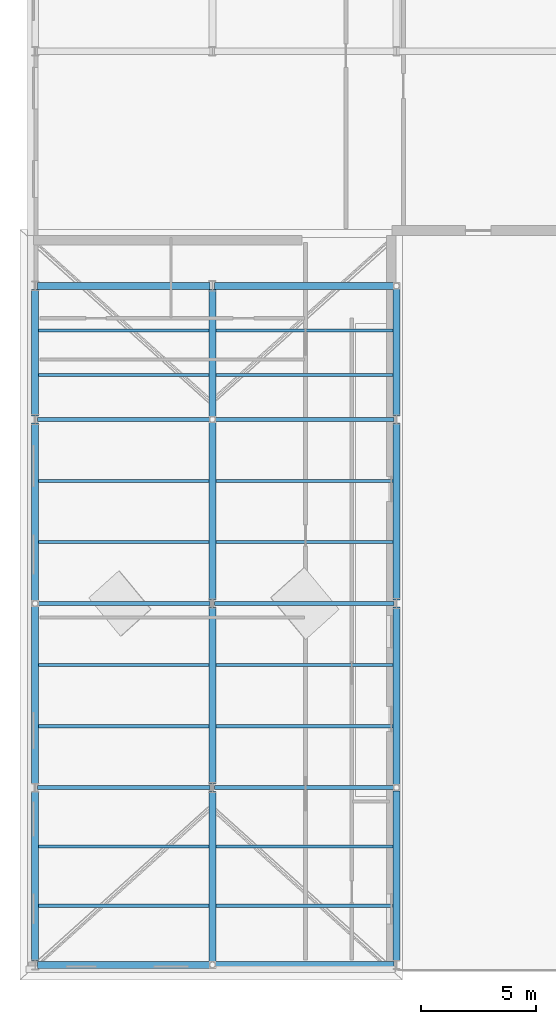
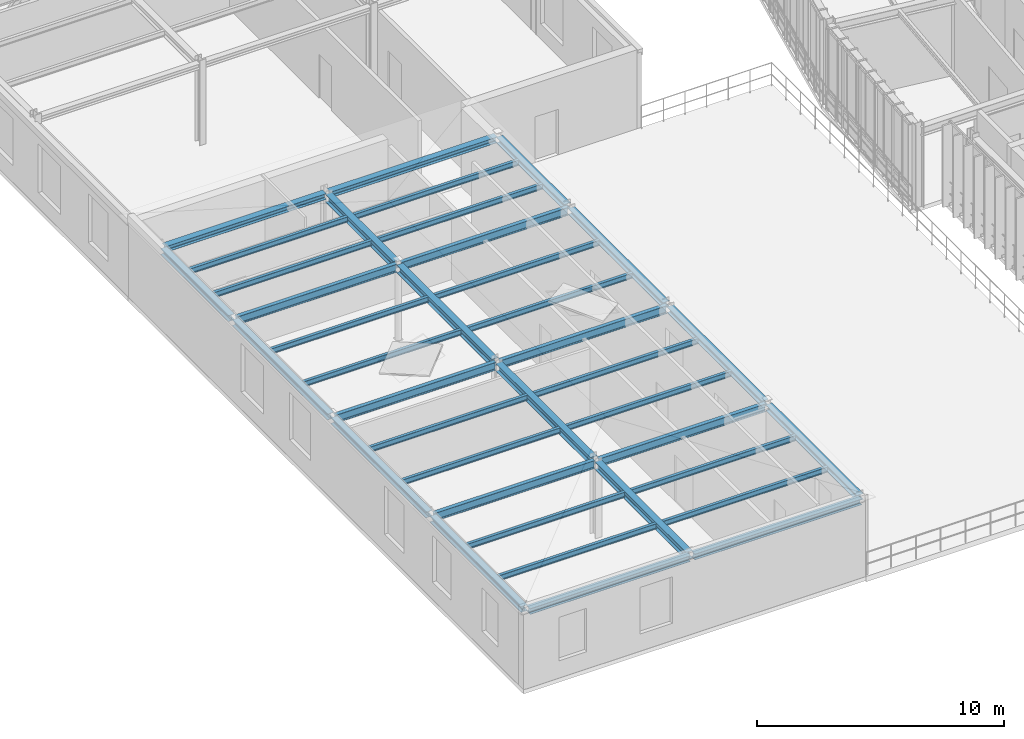
# One storey, part 10 of 52: 38 beams.
"""IFC4 building model written with IfcOpenShell, lengths in metres."""

from ifc_helpers import new_model, si_unit, direction, frame, origin, origin_2d, place, context, subcontext, project, spatial, i_section, extrude, material, material_profile, profile_set, type_object, element, save


model = new_model("IFC4")

# Units and contexts
model_context = context("Model", 3, precision=1e-05, world=origin(), true_north=direction((0.0, 1.0)))
body_context = subcontext(model_context, "Body", "Model", "MODEL_VIEW")
ifc_project = project(units=[si_unit("LENGTHUNIT", "METRE"), si_unit("AREAUNIT", "SQUARE_METRE"), si_unit("VOLUMEUNIT", "CUBIC_METRE"), si_unit("PLANEANGLEUNIT", "RADIAN"), si_unit("MASSUNIT", "GRAM", prefix="KILO"), si_unit("THERMODYNAMICTEMPERATUREUNIT", "KELVIN"), si_unit("POWERUNIT", "WATT")], contexts=[model_context])

# Site, building, storey
site_placement = place(None, origin())
site = spatial("IfcSite", under=ifc_project, at=site_placement, CompositionType="ELEMENT")
building_placement = place(site_placement, origin())
building = spatial("IfcBuilding", under=site, at=building_placement, Name="Solvatero Civic Police Headquarters", CompositionType="ELEMENT")
storey_placement = place(building_placement, frame((0.0, 0.0, 13.5)))
storey = spatial("IfcBuildingStorey", under=building, at=storey_placement, Name="L03", CompositionType="ELEMENT", Elevation=13.5)

# Beams
ifc_material = material(Name="Steel S355", Category="steel")
ifc_material_profile_1 = material_profile(ifc_material, i_section(OverallWidth=0.300048828125, OverallDepth=0.2900390625, WebThickness=0.008544921875, FlangeThickness=0.013916015625, FilletRadius=0.027099609375, at=origin_2d()), Name="HEA 300")
ifc_profile_set_1 = profile_set([ifc_material_profile_1], Name="Steel S355")
beam_type_1 = type_object("IfcBeamType", Name="BM-ST-HEA300", PredefinedType="SPANDREL", material=ifc_profile_set_1)
beam_1_placement = place(storey_placement, frame((4.89990234375, 4.800048828125, 3.635009765625), z_axis=(1.0, 0.0, 0.0), x_axis=(0.0, 1.0, 0.0)))
element("IfcBeam", 1, at=beam_1_placement, inside=storey, type_object=beam_type_1, Name="Perimeter / radial spandrel beam BM-R2-L03-V4R-GX-1-1", PredefinedType="SPANDREL", context=body_context, shape_type="SweptSolid", body=[
    extrude(i_section(OverallWidth=0.300048828125, OverallDepth=0.2900390625, WebThickness=0.008544921875, FlangeThickness=0.013916015625, FilletRadius=0.027099609375, at=origin_2d()), origin(), (0.0, 0.0, 1.0), 7.5),
])
beam_2_placement = place(storey_placement, frame((12.60009765625, 4.800048828125, 3.635009765625), z_axis=(1.0, 0.0, 0.0), x_axis=(0.0, 1.0, 0.0)))
element("IfcBeam", 2, at=beam_2_placement, inside=storey, type_object=beam_type_1, Name="Perimeter / radial spandrel beam BM-R2-L03-V4R-GX-2-1", PredefinedType="SPANDREL", context=body_context, shape_type="SweptSolid", body=[
    extrude(i_section(OverallWidth=0.300048828125, OverallDepth=0.2900390625, WebThickness=0.008544921875, FlangeThickness=0.013916015625, FilletRadius=0.027099609375, at=origin_2d()), origin(), (0.0, 0.0, 1.0), 7.7998046875),
])
beam_3_placement = place(storey_placement, frame((4.89990234375, 34.300048828125, 3.635009765625), z_axis=(1.0, 0.0, 0.0), x_axis=(0.0, 1.0, 0.0)))
element("IfcBeam", 3, at=beam_3_placement, inside=storey, type_object=beam_type_1, Name="Perimeter / radial spandrel beam BM-R2-L03-V4R-GX-1-5", PredefinedType="SPANDREL", context=body_context, shape_type="SweptSolid", body=[
    extrude(i_section(OverallWidth=0.300048828125, OverallDepth=0.2900390625, WebThickness=0.008544921875, FlangeThickness=0.013916015625, FilletRadius=0.027099609375, at=origin_2d()), origin(), (0.0, 0.0, 1.0), 7.5),
])
beam_4_placement = place(storey_placement, frame((12.60009765625, 34.300048828125, 3.635009765625), z_axis=(1.0, 0.0, 0.0), x_axis=(0.0, 1.0, 0.0)))
element("IfcBeam", 4, at=beam_4_placement, inside=storey, type_object=beam_type_1, Name="Perimeter / radial spandrel beam BM-R2-L03-V4R-GX-2-5", PredefinedType="SPANDREL", context=body_context, shape_type="SweptSolid", body=[
    extrude(i_section(OverallWidth=0.300048828125, OverallDepth=0.2900390625, WebThickness=0.008544921875, FlangeThickness=0.013916015625, FilletRadius=0.027099609375, at=origin_2d()), origin(), (0.0, 0.0, 1.0), 7.7998046875),
])
beam_5_placement = place(storey_placement, frame((4.800048828125, 4.9599609375, 3.635009765625), z_axis=(0.0, 1.0, 0.0), x_axis=(-1.0, 0.0, 0.0)))
element("IfcBeam", 5, at=beam_5_placement, inside=storey, type_object=beam_type_1, Name="Perimeter / radial spandrel beam BM-R2-L03-V4R-GY-1-1", PredefinedType="SPANDREL", context=body_context, shape_type="SweptSolid", body=[
    extrude(i_section(OverallWidth=0.300048828125, OverallDepth=0.2900390625, WebThickness=0.008544921875, FlangeThickness=0.013916015625, FilletRadius=0.027099609375, at=origin_2d()), origin(), (0.0, 0.0, 1.0), 7.380126953125),
])
for number, where, z_axis, x_axis, name in (
    (6, (4.800048828125, 12.659912109375, 3.635009765625), (0.0, 1.0, 0.0), (-1.0, 0.0, 0.0), "Perimeter / radial spandrel beam BM-R2-L03-V4R-GY-1-2"),
    (7, (4.800048828125, 20.638427734375, 3.635009765625), (0.0, 1.0, 0.0), (-1.0, 0.0, 0.0), "Perimeter / radial spandrel beam BM-R2-L03-V4R-GY-1-3"),
):
    element("IfcBeam", number, at=place(storey_placement, frame(where, z_axis=z_axis, x_axis=x_axis)), inside=storey, type_object=beam_type_1, Name=name, PredefinedType="SPANDREL", context=body_context, shape_type="SweptSolid", body=[
        extrude(i_section(OverallWidth=0.300048828125, OverallDepth=0.2900390625, WebThickness=0.008544921875, FlangeThickness=0.013916015625, FilletRadius=0.027099609375, at=origin_2d()), origin(), (0.0, 0.0, 1.0), 7.70166015625),
    ])
beam_6_placement = place(storey_placement, frame((4.800048828125, 28.659912109375, 3.635009765625), z_axis=(0.0, 1.0, 0.0), x_axis=(-1.0, 0.0, 0.0)))
element("IfcBeam", 8, at=beam_6_placement, inside=storey, type_object=beam_type_1, Name="Perimeter / radial spandrel beam BM-R2-L03-V4R-GY-1-4", PredefinedType="SPANDREL", context=body_context, shape_type="SweptSolid", body=[
    extrude(i_section(OverallWidth=0.300048828125, OverallDepth=0.2900390625, WebThickness=0.008544921875, FlangeThickness=0.013916015625, FilletRadius=0.027099609375, at=origin_2d()), origin(), (0.0, 0.0, 1.0), 5.47998046875),
])
beam_7_placement = place(storey_placement, frame((20.5, 4.9599609375, 3.635009765625), z_axis=(0.0, 1.0, 0.0), x_axis=(-1.0, 0.0, 0.0)))
element("IfcBeam", 9, at=beam_7_placement, inside=storey, type_object=beam_type_1, Name="Perimeter / radial spandrel beam BM-R2-L03-V4R-GY-3-1", PredefinedType="SPANDREL", context=body_context, shape_type="SweptSolid", body=[
    extrude(i_section(OverallWidth=0.300048828125, OverallDepth=0.2900390625, WebThickness=0.008544921875, FlangeThickness=0.013916015625, FilletRadius=0.027099609375, at=origin_2d()), origin(), (0.0, 0.0, 1.0), 7.401611328125),
])
beam_8_placement = place(storey_placement, frame((20.5, 12.638427734375, 3.635009765625), z_axis=(0.0, 1.0, 0.0), x_axis=(-1.0, 0.0, 0.0)))
element("IfcBeam", 10, at=beam_8_placement, inside=storey, type_object=beam_type_1, Name="Perimeter / radial spandrel beam BM-R2-L03-V4R-GY-3-2", PredefinedType="SPANDREL", context=body_context, shape_type="SweptSolid", body=[
    extrude(i_section(OverallWidth=0.300048828125, OverallDepth=0.2900390625, WebThickness=0.008544921875, FlangeThickness=0.013916015625, FilletRadius=0.027099609375, at=origin_2d()), origin(), (0.0, 0.0, 1.0), 7.70166015625),
])
beam_9_placement = place(storey_placement, frame((20.5, 20.659912109375, 3.635009765625), z_axis=(0.0, 1.0, 0.0), x_axis=(-1.0, 0.0, 0.0)))
element("IfcBeam", 11, at=beam_9_placement, inside=storey, type_object=beam_type_1, Name="Perimeter / radial spandrel beam BM-R2-L03-V4R-GY-3-3", PredefinedType="SPANDREL", context=body_context, shape_type="SweptSolid", body=[
    extrude(i_section(OverallWidth=0.300048828125, OverallDepth=0.2900390625, WebThickness=0.008544921875, FlangeThickness=0.013916015625, FilletRadius=0.027099609375, at=origin_2d()), origin(), (0.0, 0.0, 1.0), 7.68017578125),
])
beam_10_placement = place(storey_placement, frame((20.5, 28.659912109375, 3.635009765625), z_axis=(0.0, 1.0, 0.0), x_axis=(-1.0, 0.0, 0.0)))
element("IfcBeam", 12, at=beam_10_placement, inside=storey, type_object=beam_type_1, Name="Perimeter / radial spandrel beam BM-R2-L03-V4R-GY-3-4", PredefinedType="SPANDREL", context=body_context, shape_type="SweptSolid", body=[
    extrude(i_section(OverallWidth=0.300048828125, OverallDepth=0.2900390625, WebThickness=0.008544921875, FlangeThickness=0.013916015625, FilletRadius=0.027099609375, at=origin_2d()), origin(), (0.0, 0.0, 1.0), 5.501708984375),
])
ifc_material_profile_2 = material_profile(ifc_material, i_section(OverallWidth=0.300048828125, OverallDepth=0.389892578125, WebThickness=0.010986328125, FlangeThickness=0.01904296875, FilletRadius=0.027099609375, at=origin_2d()), Name="HEA 400")
ifc_profile_set_2 = profile_set([ifc_material_profile_2], Name="Steel S355")
beam_type_2 = type_object("IfcBeamType", Name="BM-ST-HEA400", PredefinedType="BEAM", material=ifc_profile_set_2)
beam_11_placement = place(storey_placement, frame((12.5, 4.9384765625, 3.5849609375), z_axis=(0.0, 1.0, 0.0), x_axis=(-1.0, 0.0, 0.0)))
element("IfcBeam", 13, at=beam_11_placement, inside=storey, type_object=beam_type_2, Name="Primary girder BM-R2-L03-V4R-GY-2-1", PredefinedType="BEAM", context=body_context, shape_type="SweptSolid", body=[
    extrude(i_section(OverallWidth=0.300048828125, OverallDepth=0.389892578125, WebThickness=0.010986328125, FlangeThickness=0.01904296875, FilletRadius=0.027099609375, at=origin_2d()), origin(), (0.0, 0.0, 1.0), 7.401611328125),
])
beam_12_placement = place(storey_placement, frame((12.5, 12.659912109375, 3.5849609375), z_axis=(0.0, 1.0, 0.0), x_axis=(-1.0, 0.0, 0.0)))
element("IfcBeam", 14, at=beam_12_placement, inside=storey, type_object=beam_type_2, Name="Primary girder BM-R2-L03-V4R-GY-2-2", PredefinedType="BEAM", context=body_context, shape_type="SweptSolid", body=[
    extrude(i_section(OverallWidth=0.300048828125, OverallDepth=0.389892578125, WebThickness=0.010986328125, FlangeThickness=0.01904296875, FilletRadius=0.027099609375, at=origin_2d()), origin(), (0.0, 0.0, 1.0), 7.68017578125),
])
beam_13_placement = place(storey_placement, frame((12.5, 20.659912109375, 3.5849609375), z_axis=(0.0, 1.0, 0.0), x_axis=(-1.0, 0.0, 0.0)))
element("IfcBeam", 15, at=beam_13_placement, inside=storey, type_object=beam_type_2, Name="Primary girder BM-R2-L03-V4R-GY-2-3", PredefinedType="BEAM", context=body_context, shape_type="SweptSolid", body=[
    extrude(i_section(OverallWidth=0.300048828125, OverallDepth=0.389892578125, WebThickness=0.010986328125, FlangeThickness=0.01904296875, FilletRadius=0.027099609375, at=origin_2d()), origin(), (0.0, 0.0, 1.0), 7.70166015625),
])
beam_14_placement = place(storey_placement, frame((12.5, 28.638427734375, 3.5849609375), z_axis=(0.0, 1.0, 0.0), x_axis=(-1.0, 0.0, 0.0)))
element("IfcBeam", 16, at=beam_14_placement, inside=storey, type_object=beam_type_2, Name="Primary girder BM-R2-L03-V4R-GY-2-4", PredefinedType="BEAM", context=body_context, shape_type="SweptSolid", body=[
    extrude(i_section(OverallWidth=0.300048828125, OverallDepth=0.389892578125, WebThickness=0.010986328125, FlangeThickness=0.01904296875, FilletRadius=0.027099609375, at=origin_2d()), origin(), (0.0, 0.0, 1.0), 5.50146484375),
])
ifc_material_profile_3 = material_profile(ifc_material, i_section(OverallWidth=0.135009765625, OverallDepth=0.27001953125, WebThickness=0.006591796875, FlangeThickness=0.01025390625, FilletRadius=0.014892578125, at=origin_2d()), Name="IPE 270")
ifc_profile_set_3 = profile_set([ifc_material_profile_3], Name="Steel S355")
beam_type_3 = type_object("IfcBeamType", Name="BM-ST-IPE270", PredefinedType="BEAM", material=ifc_profile_set_3)
for number, where, z_axis, x_axis, name in (
    (17, (4.949951171875, 7.36669921875, 3.64501953125), (1.0, 0.0, 0.0), (0.0, 1.0, 0.0), "Composite floor beam BM-R2-L03-V4R-SEC-1-1-S1"),
    (18, (4.949951171875, 9.933349609375, 3.64501953125), (1.0, 0.0, 0.0), (0.0, 1.0, 0.0), "Composite floor beam BM-R2-L03-V4R-SEC-1-1-S2"),
    (19, (4.949951171875, 15.166748046875, 3.64501953125), (1.0, 0.0, 0.0), (0.0, 1.0, 0.0), "Composite floor beam BM-R2-L03-V4R-SEC-1-2-S1"),
    (20, (4.949951171875, 17.833251953125, 3.64501953125), (1.0, 0.0, 0.0), (0.0, 1.0, 0.0), "Composite floor beam BM-R2-L03-V4R-SEC-1-2-S2"),
    (21, (4.949951171875, 23.166748046875, 3.64501953125), (1.0, 0.0, 0.0), (0.0, 1.0, 0.0), "Composite floor beam BM-R2-L03-V4R-SEC-1-3-S1"),
    (22, (4.949951171875, 25.833251953125, 3.64501953125), (1.0, 0.0, 0.0), (0.0, 1.0, 0.0), "Composite floor beam BM-R2-L03-V4R-SEC-1-3-S2"),
    (23, (4.949951171875, 30.433349609375, 3.64501953125), (1.0, 0.0, 0.0), (0.0, 1.0, 0.0), "Composite floor beam BM-R2-L03-V4R-SEC-1-4-S1"),
    (24, (4.949951171875, 32.36669921875, 3.64501953125), (1.0, 0.0, 0.0), (0.0, 1.0, 0.0), "Composite floor beam BM-R2-L03-V4R-SEC-1-4-S2"),
):
    element("IfcBeam", number, at=place(storey_placement, frame(where, z_axis=z_axis, x_axis=x_axis)), inside=storey, type_object=beam_type_3, Name=name, PredefinedType="BEAM", context=body_context, shape_type="SweptSolid", body=[
        extrude(i_section(OverallWidth=0.135009765625, OverallDepth=0.27001953125, WebThickness=0.006591796875, FlangeThickness=0.01025390625, FilletRadius=0.014892578125, at=origin_2d()), origin(), (0.0, 0.0, 1.0), 7.400146484375),
    ])
for number, where, z_axis, x_axis, name in (
    (25, (12.64990234375, 7.36669921875, 3.64501953125), (1.0, 0.0, 0.0), (0.0, 1.0, 0.0), "Composite floor beam BM-R2-L03-V4R-SEC-2-1-S1"),
    (26, (12.64990234375, 9.933349609375, 3.64501953125), (1.0, 0.0, 0.0), (0.0, 1.0, 0.0), "Composite floor beam BM-R2-L03-V4R-SEC-2-1-S2"),
    (27, (12.64990234375, 15.166748046875, 3.64501953125), (1.0, 0.0, 0.0), (0.0, 1.0, 0.0), "Composite floor beam BM-R2-L03-V4R-SEC-2-2-S1"),
    (28, (12.64990234375, 17.833251953125, 3.64501953125), (1.0, 0.0, 0.0), (0.0, 1.0, 0.0), "Composite floor beam BM-R2-L03-V4R-SEC-2-2-S2"),
    (29, (12.64990234375, 23.166748046875, 3.64501953125), (1.0, 0.0, 0.0), (0.0, 1.0, 0.0), "Composite floor beam BM-R2-L03-V4R-SEC-2-3-S1"),
    (30, (12.64990234375, 25.833251953125, 3.64501953125), (1.0, 0.0, 0.0), (0.0, 1.0, 0.0), "Composite floor beam BM-R2-L03-V4R-SEC-2-3-S2"),
    (31, (12.64990234375, 30.433349609375, 3.64501953125), (1.0, 0.0, 0.0), (0.0, 1.0, 0.0), "Composite floor beam BM-R2-L03-V4R-SEC-2-4-S1"),
    (32, (12.64990234375, 32.36669921875, 3.64501953125), (1.0, 0.0, 0.0), (0.0, 1.0, 0.0), "Composite floor beam BM-R2-L03-V4R-SEC-2-4-S2"),
):
    element("IfcBeam", number, at=place(storey_placement, frame(where, z_axis=z_axis, x_axis=x_axis)), inside=storey, type_object=beam_type_3, Name=name, PredefinedType="BEAM", context=body_context, shape_type="SweptSolid", body=[
        extrude(i_section(OverallWidth=0.135009765625, OverallDepth=0.27001953125, WebThickness=0.006591796875, FlangeThickness=0.01025390625, FilletRadius=0.014892578125, at=origin_2d()), origin(), (0.0, 0.0, 1.0), 7.7001953125),
    ])
ifc_material_profile_4 = material_profile(ifc_material, i_section(OverallWidth=0.179931640625, OverallDepth=0.39990234375, WebThickness=0.008544921875, FlangeThickness=0.013427734375, FilletRadius=0.02099609375, at=origin_2d()), Name="IPE 400")
ifc_profile_set_4 = profile_set([ifc_material_profile_4], Name="Steel S355")
beam_type_4 = type_object("IfcBeamType", Name="BM-ST-IPE400", PredefinedType="BEAM", material=ifc_profile_set_4)
beam_15_placement = place(storey_placement, frame((4.89990234375, 12.5, 3.580078125), z_axis=(1.0, 0.0, 0.0), x_axis=(0.0, 1.0, 0.0)))
element("IfcBeam", 33, at=beam_15_placement, inside=storey, type_object=beam_type_4, Name="Primary girder BM-R2-L03-V4R-GX-1-2", PredefinedType="BEAM", context=body_context, shape_type="SweptSolid", body=[
    extrude(i_section(OverallWidth=0.179931640625, OverallDepth=0.39990234375, WebThickness=0.008544921875, FlangeThickness=0.013427734375, FilletRadius=0.02099609375, at=origin_2d()), origin(), (0.0, 0.0, 1.0), 7.5),
])
beam_16_placement = place(storey_placement, frame((12.60009765625, 12.5, 3.580078125), z_axis=(1.0, 0.0, 0.0), x_axis=(0.0, 1.0, 0.0)))
element("IfcBeam", 34, at=beam_16_placement, inside=storey, type_object=beam_type_4, Name="Primary girder BM-R2-L03-V4R-GX-2-2", PredefinedType="BEAM", context=body_context, shape_type="SweptSolid", body=[
    extrude(i_section(OverallWidth=0.179931640625, OverallDepth=0.39990234375, WebThickness=0.008544921875, FlangeThickness=0.013427734375, FilletRadius=0.02099609375, at=origin_2d()), origin(), (0.0, 0.0, 1.0), 7.7998046875),
])
beam_17_placement = place(storey_placement, frame((4.89990234375, 20.5, 3.580078125), z_axis=(1.0, 0.0, 0.0), x_axis=(0.0, 1.0, 0.0)))
element("IfcBeam", 35, at=beam_17_placement, inside=storey, type_object=beam_type_4, Name="Primary girder BM-R2-L03-V4R-GX-1-3", PredefinedType="BEAM", context=body_context, shape_type="SweptSolid", body=[
    extrude(i_section(OverallWidth=0.179931640625, OverallDepth=0.39990234375, WebThickness=0.008544921875, FlangeThickness=0.013427734375, FilletRadius=0.02099609375, at=origin_2d()), origin(), (0.0, 0.0, 1.0), 7.5),
])
beam_18_placement = place(storey_placement, frame((12.60009765625, 20.5, 3.580078125), z_axis=(1.0, 0.0, 0.0), x_axis=(0.0, 1.0, 0.0)))
element("IfcBeam", 36, at=beam_18_placement, inside=storey, type_object=beam_type_4, Name="Primary girder BM-R2-L03-V4R-GX-2-3", PredefinedType="BEAM", context=body_context, shape_type="SweptSolid", body=[
    extrude(i_section(OverallWidth=0.179931640625, OverallDepth=0.39990234375, WebThickness=0.008544921875, FlangeThickness=0.013427734375, FilletRadius=0.02099609375, at=origin_2d()), origin(), (0.0, 0.0, 1.0), 7.7998046875),
])
beam_19_placement = place(storey_placement, frame((4.89990234375, 28.5, 3.580078125), z_axis=(1.0, 0.0, 0.0), x_axis=(0.0, 1.0, 0.0)))
element("IfcBeam", 37, at=beam_19_placement, inside=storey, type_object=beam_type_4, Name="Primary girder BM-R2-L03-V4R-GX-1-4", PredefinedType="BEAM", context=body_context, shape_type="SweptSolid", body=[
    extrude(i_section(OverallWidth=0.179931640625, OverallDepth=0.39990234375, WebThickness=0.008544921875, FlangeThickness=0.013427734375, FilletRadius=0.02099609375, at=origin_2d()), origin(), (0.0, 0.0, 1.0), 7.5),
])
beam_20_placement = place(storey_placement, frame((12.60009765625, 28.5, 3.580078125), z_axis=(1.0, 0.0, 0.0), x_axis=(0.0, 1.0, 0.0)))
element("IfcBeam", 38, at=beam_20_placement, inside=storey, type_object=beam_type_4, Name="Primary girder BM-R2-L03-V4R-GX-2-4", PredefinedType="BEAM", context=body_context, shape_type="SweptSolid", body=[
    extrude(i_section(OverallWidth=0.179931640625, OverallDepth=0.39990234375, WebThickness=0.008544921875, FlangeThickness=0.013427734375, FilletRadius=0.02099609375, at=origin_2d()), origin(), (0.0, 0.0, 1.0), 7.7998046875),
])

save(model, "model.ifc")
